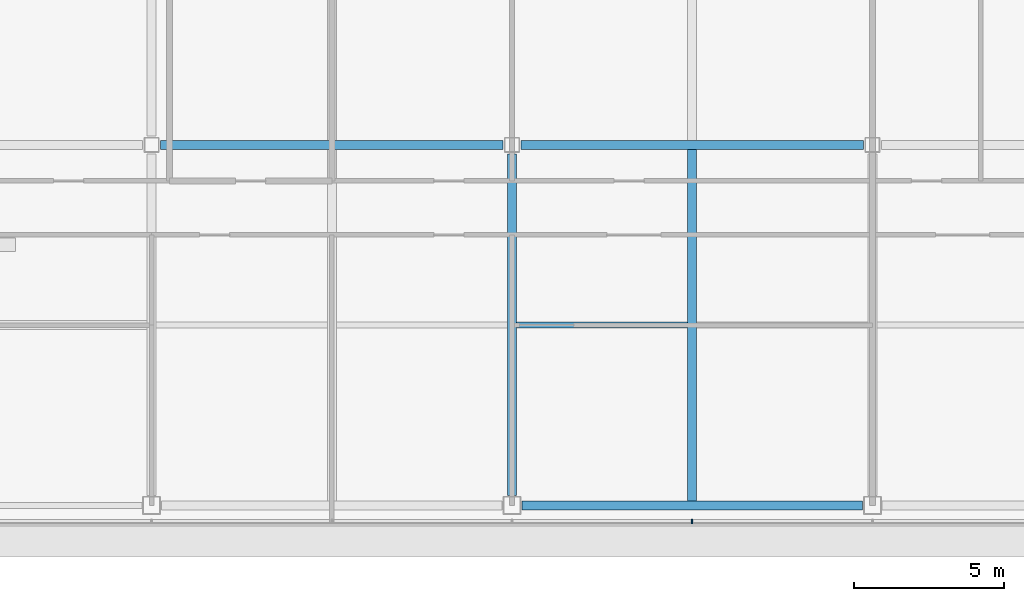
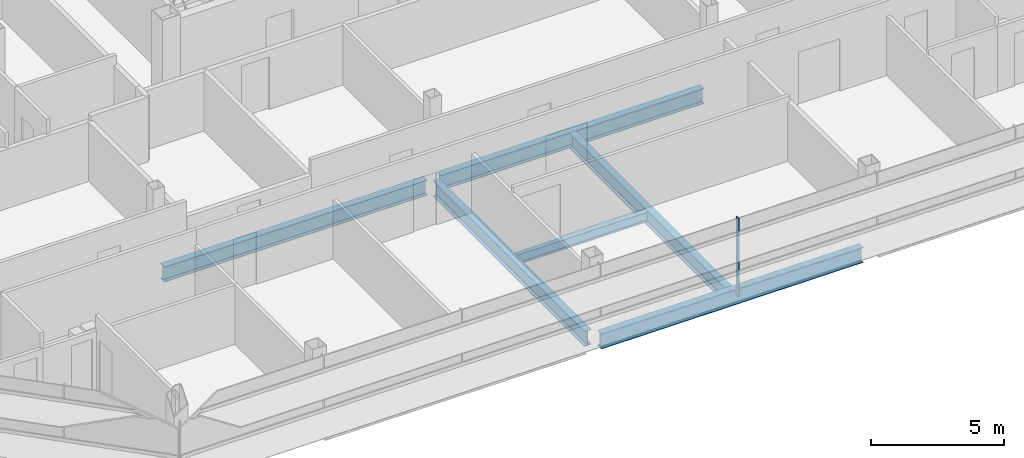
# One storey, part 4 of 27: 6 beams, 1 member, 1 element without a shape of its own.
"""IFC4 building model written with IfcOpenShell, lengths in metres."""

import ifcopenshell
import ifcopenshell.guid

model = None  # the IFC model being written
_history = None  # IfcOwnerHistory: only IFC2X3 demands one
_inside = {}  # id of a spatial element -> (the spatial element, [elements in it])
_under = {}  # id of a project, library or spatial element -> (it, [spatial elements below it])
_declared = {}  # id of a project -> (the project, [libraries it declares])
_typed = {}  # id of a type object -> (the type object, [elements of that type])
_made_of = {}  # id of a material, layer set ... -> (it, [elements and type objects made of it])


def new_model(schema):
    """Start an empty IFC model of exactly this schema.

    Asked for "IFC4X3", IfcOpenShell would pick the latest addendum, in which some entities
    have other attributes; the version numbers below select the first issue.
    IFC2X3 requires an IfcOwnerHistory on every rooted entity: one is made here for all.
    """
    global model, _history
    if schema == "IFC4X3":
        model = ifcopenshell.file(schema_version=(4, 3, 0, 0))
    else:
        model = ifcopenshell.file(schema=schema)
    _inside.clear()
    _under.clear()
    _declared.clear()
    _typed.clear()
    _made_of.clear()
    _history = None
    if model.schema == "IFC2X3":
        org = make("IfcOrganization", Name="unknown")
        user = make(
            "IfcPersonAndOrganization",
            ThePerson=make("IfcPerson", FamilyName="unknown"),
            TheOrganization=org,
        )
        app = make(
            "IfcApplication",
            ApplicationDeveloper=org,
            Version="unknown",
            ApplicationFullName="unknown",
            ApplicationIdentifier="unknown",
        )
        _history = make(
            "IfcOwnerHistory",
            OwningUser=user,
            OwningApplication=app,
            ChangeAction="ADDED",
            CreationDate=0,
        )
    return model


def make(cls, **values):
    """One entity of the class cls with the attributes given. An attribute that is None is left unset."""
    return model.create_entity(
        cls, **{name: value for name, value in values.items() if value is not None}
    )


def rooted(cls, **values):
    """An entity with a GlobalId (a new one), such as an element, a storey or a relation."""
    return make(cls, GlobalId=ifcopenshell.guid.new(), OwnerHistory=_history, **values)


def si_unit(unit_type, name, prefix=None):
    """IfcSIUnit, for example si_unit("LENGTHUNIT", "METRE", prefix="MILLI")."""
    return make("IfcSIUnit", UnitType=unit_type, Prefix=prefix, Name=name)


def assignment(units):
    """IfcUnitAssignment: the units of a project."""
    return None if units is None else make("IfcUnitAssignment", Units=units)


def point(xyz):
    """IfcCartesianPoint."""
    return None if xyz is None else make("IfcCartesianPoint", Coordinates=xyz)


def direction(xyz):
    """IfcDirection."""
    return None if xyz is None else make("IfcDirection", DirectionRatios=xyz)


def frame(location, z_axis=None, x_axis=None):
    """IfcAxis2Placement3D, a coordinate frame: its origin and axes. An axis left out is left unset."""
    return make(
        "IfcAxis2Placement3D",
        Location=point(location),
        Axis=direction(z_axis),
        RefDirection=direction(x_axis),
    )


def frame_2d(location, x_axis=None):
    """IfcAxis2Placement2D, a coordinate frame in the plane: its origin and x axis."""
    return make(
        "IfcAxis2Placement2D", Location=point(location), RefDirection=direction(x_axis)
    )


def origin():
    """The frame at (0, 0, 0) with its axes left unset."""
    return frame((0.0, 0.0, 0.0))


def origin_2d():
    """The frame at (0, 0) in the plane with its x axis left unset."""
    return frame_2d((0.0, 0.0))


def place(relative_to, where):
    """IfcLocalPlacement: puts the frame where relative to a parent placement (None: the world)."""
    return make(
        "IfcLocalPlacement", PlacementRelTo=relative_to, RelativePlacement=where
    )


def context(
    kind, dimensions, precision=None, world=None, true_north=None, identifier=None
):
    """IfcGeometricRepresentationContext, for example the 3D "Model" context."""
    return make(
        "IfcGeometricRepresentationContext",
        ContextIdentifier=identifier,
        ContextType=kind,
        CoordinateSpaceDimension=dimensions,
        Precision=precision,
        WorldCoordinateSystem=world,
        TrueNorth=true_north,
    )


def subcontext(parent, identifier, kind, view, scale=None):
    """IfcGeometricRepresentationSubContext, for example "Body" below "Model"."""
    return make(
        "IfcGeometricRepresentationSubContext",
        ContextIdentifier=identifier,
        ContextType=kind,
        ParentContext=parent,
        TargetScale=scale,
        TargetView=view,
    )


def project(units=None, contexts=None):
    """IfcProject with its units and contexts."""
    return rooted(
        "IfcProject",
        Name="project",
        RepresentationContexts=contexts,
        UnitsInContext=assignment(units),
    )


def spatial(cls, under=None, at=None, **own):
    """A site, building, storey or space (cls), placed at a placement, below another one or the project."""
    s = rooted(cls, ObjectPlacement=at, **own)
    if under is not None:
        _under.setdefault(under.id(), (under, []))[1].append(s)
    return s


def profile(cls, at=None, kind="AREA", **sizes):
    """A parametric profile (cls). Its sizes go by their IFC names, for example OverallWidth=200.0."""
    return make(cls, ProfileType=kind, Position=at, **sizes)


def rectangle(**sizes):
    """IfcRectangleProfileDef."""
    return profile("IfcRectangleProfileDef", **sizes)


def i_section(**sizes):
    """IfcIShapeProfileDef."""
    return profile("IfcIShapeProfileDef", **sizes)


def extrude(swept, where, along, depth):
    """IfcExtrudedAreaSolid: the profile swept, set in the frame where, extruded along a direction by depth."""
    return make(
        "IfcExtrudedAreaSolid",
        SweptArea=swept,
        Position=where,
        ExtrudedDirection=direction(along),
        Depth=depth,
    )


def shape(context_of_items, identifier, shape_type, items):
    """IfcShapeRepresentation: the items that make up one representation, for example the "Body"."""
    return make(
        "IfcShapeRepresentation",
        ContextOfItems=context_of_items,
        RepresentationIdentifier=identifier,
        RepresentationType=shape_type,
        Items=items,
    )


def material(Name=None, Category=None):
    """IfcMaterial."""
    return make("IfcMaterial", Name=Name, Category=Category)


def material_profile(
    of_material, cross_section, Name=None, Category=None, Priority=None
):
    """IfcMaterialProfile: a cross section and its material."""
    return make(
        "IfcMaterialProfile",
        Name=Name,
        Material=of_material,
        Profile=cross_section,
        Priority=Priority,
        Category=Category,
    )


def profile_set(profiles, Name=None, composite=None):
    """IfcMaterialProfileSet."""
    return make(
        "IfcMaterialProfileSet",
        Name=Name,
        MaterialProfiles=profiles,
        CompositeProfile=composite,
    )


def made_of(thing, what):
    """Note that an element or type object is made of a material, layer set ...; save() writes the relation."""
    if what is not None:
        _made_of.setdefault(what.id(), (what, []))[1].append(thing)
    return thing


def type_object(cls, material=None, **own):
    """A type object (cls), such as IfcWallType, which elements share."""
    return made_of(rooted(cls, **own), material)


def element(
    cls,
    number,
    at=None,
    inside=None,
    cuts=None,
    type_object=None,
    material=None,
    context=None,
    identifier="Body",
    shape_type=None,
    held_by="IfcProductDefinitionShape",
    body=None,
    shapes=None,
    **own,
):
    """One element of the class cls, such as IfcWall. Its Tag is "e" and its number.

    at: its placement. inside: the storey or other place that contains it. cuts: it is an
    opening in that element (IfcRelVoidsElement). A single representation is given by context,
    identifier, shape_type and body (its items); several are given by shapes. held_by: the class
    of the entity that holds the representations. save() writes the other relations.
    """
    e = rooted(cls, Tag="e%d" % number, ObjectPlacement=at, **own)
    if body is not None:
        shapes = [shape(context, identifier, shape_type, body)]
    if shapes is not None:
        e.Representation = make(held_by, Representations=shapes)
    if inside is not None:
        _inside.setdefault(inside.id(), (inside, []))[1].append(e)
    if cuts is not None:
        rooted(
            "IfcRelVoidsElement", RelatingBuildingElement=cuts, RelatedOpeningElement=e
        )
    if type_object is not None:
        _typed.setdefault(type_object.id(), (type_object, []))[1].append(e)
    return made_of(e, material)


def aggregate(whole, parts):
    """IfcRelAggregates: a whole, such as a stair, and the parts it consists of."""
    return rooted("IfcRelAggregates", RelatingObject=whole, RelatedObjects=parts)


def save(model, path):
    """Write the relations noted so far, then the file.

    IfcRelAggregates (storeys below a building ...), IfcRelContainedInSpatialStructure (elements
    in a storey), IfcRelDefinesByType, IfcRelAssociatesMaterial and IfcRelDeclares: one each for
    every whole, place, type object, material and project.
    """
    for whole, parts in _under.values():
        aggregate(whole, parts)
    for where, things in _inside.values():
        rooted(
            "IfcRelContainedInSpatialStructure",
            RelatedElements=things,
            RelatingStructure=where,
        )
    for kind, things in _typed.values():
        rooted("IfcRelDefinesByType", RelatedObjects=things, RelatingType=kind)
    for what, things in _made_of.values():
        rooted("IfcRelAssociatesMaterial", RelatedObjects=things, RelatingMaterial=what)
    for by, libraries in _declared.values():
        rooted("IfcRelDeclares", RelatingContext=by, RelatedDefinitions=libraries)
    model.write(path)


model = new_model("IFC4")

# Units and contexts
model_context = context("Model", 3, precision=1e-05, world=origin(), true_north=direction((0.0, 1.0)))
body_context = subcontext(model_context, "Body", "Model", "MODEL_VIEW")
ifc_project = project(units=[si_unit("LENGTHUNIT", "METRE"), si_unit("AREAUNIT", "SQUARE_METRE"), si_unit("VOLUMEUNIT", "CUBIC_METRE"), si_unit("PLANEANGLEUNIT", "RADIAN"), si_unit("MASSUNIT", "GRAM", prefix="KILO")], contexts=[model_context])

# Site, building, storey
site_placement = place(None, origin())
site = spatial("IfcSite", under=ifc_project, at=site_placement, CompositionType="ELEMENT")
building_placement = place(site_placement, origin())
building = spatial("IfcBuilding", under=site, at=building_placement, Name="Sorahane Residences", CompositionType="ELEMENT")
storey_placement = place(building_placement, frame((0.0, 0.0, 246.800048828125)))
storey = spatial("IfcBuildingStorey", under=building, at=storey_placement, Name="L58", CompositionType="ELEMENT", Elevation=246.800048828125)

# Curtain wall, member
ifc_material_1 = material(Name="Dark low-e glass and black anodised aluminium", Category="aluminium")
curtain_wall_type = type_object("IfcCurtainWallType", Name="Curtain wall CW-1 Typical unitised wall", PredefinedType="NOTDEFINED", material=ifc_material_1)
curtain_wall_placement = place(storey_placement, origin())
curtain_wall = element("IfcCurtainWall", 1, at=curtain_wall_placement, inside=storey, type_object=curtain_wall_type, Name="CW-1 curtain wall L58 S1", PredefinedType="NOTDEFINED")
ifc_material_2 = material(Name="Black anodised aluminium", Category="aluminium")
ifc_material_profile_1 = material_profile(ifc_material_2, rectangle(XDim=0.159912109375, YDim=0.050048828125, at=origin_2d()), Name="Curtain wall mullion CW-1 black anodised aluminium 50x160")
ifc_profile_set_1 = profile_set([ifc_material_profile_1], Name="Black anodised aluminium")
member_type = type_object("IfcMemberType", Name="Curtain wall mullion CW-1 black anodised aluminium 50x160", PredefinedType="MULLION", material=ifc_profile_set_1)
member_placement = place(storey_placement, frame((18.0, -0.5400390625, -0.179931640625), z_axis=(0.0, 0.0, 1.0), x_axis=(0.0, -1.0, 0.0)))
member = element("IfcMember", 2, at=member_placement, type_object=member_type, Name="CW-1 mullion L58 S1.5", PredefinedType="MULLION", context=body_context, shape_type="SweptSolid", body=[
    extrude(rectangle(XDim=0.159912109375, YDim=0.050048828125, at=origin_2d()), origin(), (0.0, 0.0, 1.0), 3.599853515625),
])
aggregate(curtain_wall, [member])

# Beams
ifc_material_3 = material(Name="Steel Q355B", Category="steel")
ifc_material_profile_2 = material_profile(ifc_material_3, i_section(OverallWidth=0.199951171875, OverallDepth=0.449951171875, WebThickness=0.009033203125, FlangeThickness=0.013916015625, FilletRadius=0.02001953125, at=origin_2d()), Name="HN 450x200x9x14")
ifc_profile_set_2 = profile_set([ifc_material_profile_2], Name="Steel Q355B")
beam_type_1 = type_object("IfcBeamType", Name="Steel floor beam HN 450x200x9x14 Q355B", PredefinedType="BEAM", material=ifc_profile_set_2)
beam_1_placement = place(storey_placement, frame((12.14990234375, 6.0, -0.405029296875), z_axis=(1.0, 0.0, 0.0), x_axis=(0.0, 1.0, 0.0)))
element("IfcBeam", 3, at=beam_1_placement, inside=storey, type_object=beam_type_1, Name="Beam L58 071", PredefinedType="BEAM", context=body_context, shape_type="SweptSolid", body=[
    extrude(i_section(OverallWidth=0.199951171875, OverallDepth=0.449951171875, WebThickness=0.009033203125, FlangeThickness=0.013916015625, FilletRadius=0.02001953125, at=origin_2d()), origin(), (0.0, 0.0, 1.0), 5.7001953125),
])
ifc_material_4 = material(Name="Steel Q355B", Category="steel")
ifc_material_profile_3 = material_profile(ifc_material_4, i_section(OverallWidth=0.300048828125, OverallDepth=0.699951171875, WebThickness=0.012939453125, FlangeThickness=0.02392578125, FilletRadius=0.028076171875, at=origin_2d()), Name="HN 700x300x13x24")
ifc_profile_set_3 = profile_set([ifc_material_profile_3], Name="Steel Q355B")
beam_type_2 = type_object("IfcBeamType", Name="Steel floor beam HN 700x300x13x24 Q355B", PredefinedType="BEAM", material=ifc_profile_set_3)
beam_2_placement = place(storey_placement, frame((12.324951171875, 0.0, -0.530029296875), z_axis=(1.0, 0.0, 0.0), x_axis=(0.0, 1.0, 0.0)))
element("IfcBeam", 4, at=beam_2_placement, inside=storey, type_object=beam_type_2, Name="Beam L58 002", PredefinedType="BEAM", context=body_context, shape_type="SweptSolid", body=[
    extrude(i_section(OverallWidth=0.300048828125, OverallDepth=0.699951171875, WebThickness=0.012939453125, FlangeThickness=0.02392578125, FilletRadius=0.028076171875, at=origin_2d()), origin(), (0.0, 0.0, 1.0), 11.35009765625),
])
for number, where, z_axis, x_axis, name in (
    (5, (0.300048828125, 12.0, -0.530029296875), (1.0, 0.0, 0.0), (0.0, 1.0, 0.0), "Beam L58 006"),
    (6, (12.300048828125, 12.0, -0.530029296875), (1.0, 0.0, 0.0), (0.0, 1.0, 0.0), "Beam L58 007"),
):
    element("IfcBeam", number, at=place(storey_placement, frame(where, z_axis=z_axis, x_axis=x_axis)), inside=storey, type_object=beam_type_2, Name=name, PredefinedType="BEAM", context=body_context, shape_type="SweptSolid", body=[
        extrude(i_section(OverallWidth=0.300048828125, OverallDepth=0.699951171875, WebThickness=0.012939453125, FlangeThickness=0.02392578125, FilletRadius=0.028076171875, at=origin_2d()), origin(), (0.0, 0.0, 1.0), 11.39990234375),
    ])
beam_3_placement = place(storey_placement, frame((12.0, 0.324951171875, -0.530029296875), z_axis=(0.0, 1.0, 0.0), x_axis=(-1.0, 0.0, 0.0)))
element("IfcBeam", 7, at=beam_3_placement, inside=storey, type_object=beam_type_2, Name="Beam L58 034", PredefinedType="BEAM", context=body_context, shape_type="SweptSolid", body=[
    extrude(i_section(OverallWidth=0.300048828125, OverallDepth=0.699951171875, WebThickness=0.012939453125, FlangeThickness=0.02392578125, FilletRadius=0.028076171875, at=origin_2d()), origin(), (0.0, 0.0, 1.0), 11.375),
])
beam_4_placement = place(storey_placement, frame((18.0, 0.14990234375, -0.530029296875), z_axis=(0.0, 1.0, 0.0), x_axis=(-1.0, 0.0, 0.0)))
element("IfcBeam", 8, at=beam_4_placement, inside=storey, type_object=beam_type_2, Name="Beam L58 036", PredefinedType="BEAM", context=body_context, shape_type="SweptSolid", body=[
    extrude(i_section(OverallWidth=0.300048828125, OverallDepth=0.699951171875, WebThickness=0.012939453125, FlangeThickness=0.02392578125, FilletRadius=0.028076171875, at=origin_2d()), origin(), (0.0, 0.0, 1.0), 11.7001953125),
])

save(model, "model.ifc")
